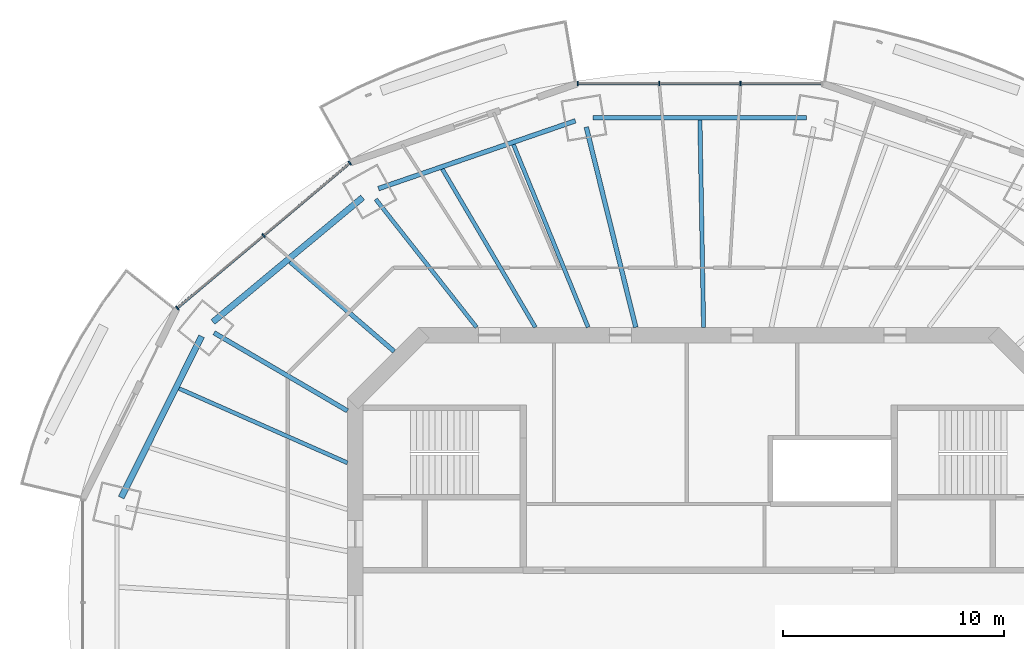
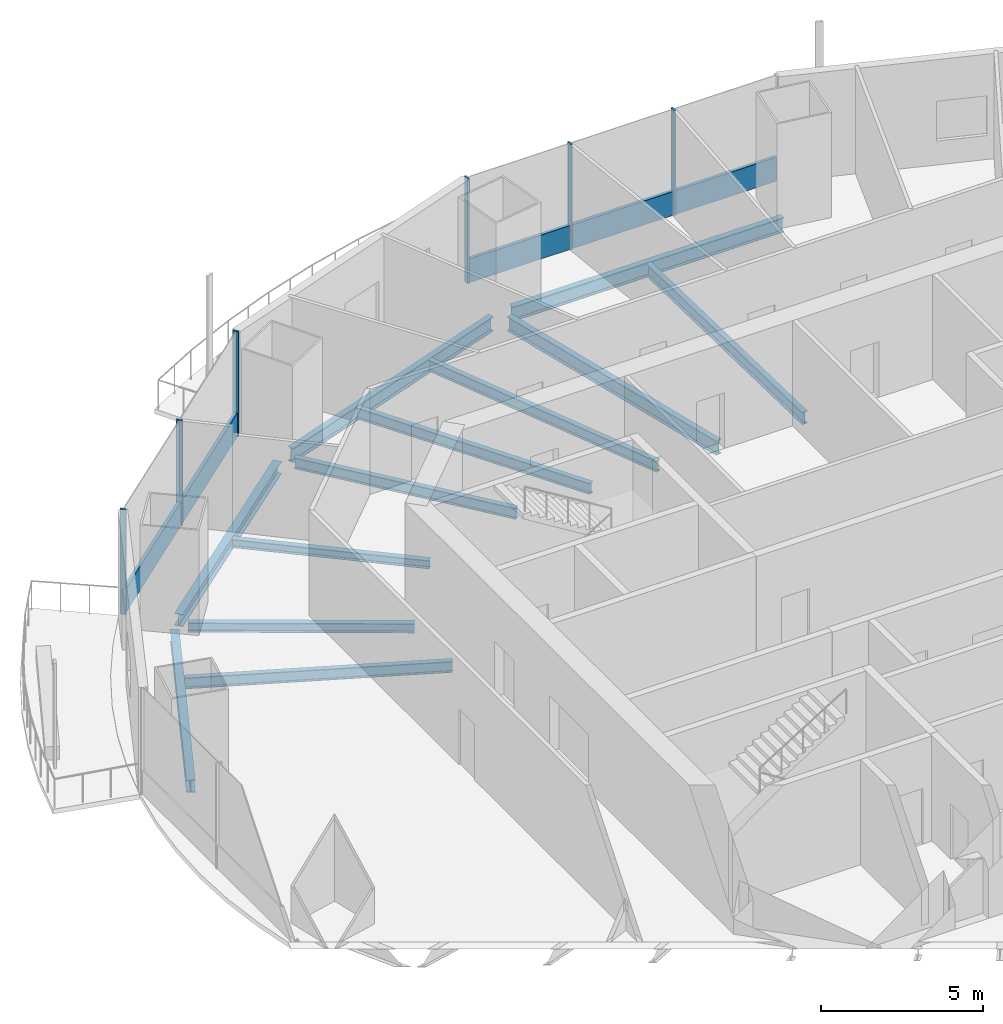
# One storey, part 5 of 16: 12 beams, 8 members, 2 elements without a shape of their own.
"""IFC4 building model written with IfcOpenShell, lengths in metres."""

from ifc_helpers import new_model, si_unit, direction, frame, origin, origin_2d, place, context, subcontext, project, spatial, rectangle, i_section, extrude, material, material_profile, profile_set, type_object, element, aggregate, save


model = new_model("IFC4")

# Units and contexts
model_context = context("Model", 3, precision=1e-05, world=origin(), true_north=direction((0.0, 1.0)))
body_context = subcontext(model_context, "Body", "Model", "MODEL_VIEW")
ifc_project = project(units=[si_unit("LENGTHUNIT", "METRE"), si_unit("AREAUNIT", "SQUARE_METRE"), si_unit("VOLUMEUNIT", "CUBIC_METRE"), si_unit("PLANEANGLEUNIT", "RADIAN"), si_unit("MASSUNIT", "GRAM", prefix="KILO")], contexts=[model_context])

# Site, building, storey
site_placement = place(None, origin())
site = spatial("IfcSite", under=ifc_project, at=site_placement, CompositionType="ELEMENT")
building_placement = place(site_placement, origin())
building = spatial("IfcBuilding", under=site, at=building_placement, Name="Marenthal Gate Tower", CompositionType="ELEMENT")
storey_placement = place(building_placement, frame((0.0, 0.0, 296.949951171875)))
storey = spatial("IfcBuildingStorey", under=building, at=storey_placement, Name="L66", CompositionType="ELEMENT", Elevation=296.949951171875)

# Curtain wall, members
ifc_material_1 = material(Name="Aluminium and glass", Category="aluminium")
curtain_wall_type = type_object("IfcCurtainWallType", Name="Curtain wall typical high", PredefinedType="NOTDEFINED", material=ifc_material_1)
curtain_wall_1_placement = place(storey_placement, origin())
curtain_wall_1 = element("IfcCurtainWall", 1, at=curtain_wall_1_placement, inside=storey, type_object=curtain_wall_type, Name="Curtain wall L66 bay 4", PredefinedType="NOTDEFINED")
ifc_material_2 = material(Name="Aluminium", Category="aluminium")
ifc_material_profile_1 = material_profile(ifc_material_2, rectangle(XDim=0.199951171875, YDim=0.06005859375, at=origin_2d()), Name="60x200 aluminium mullion")
ifc_profile_set_1 = profile_set([ifc_material_profile_1], Name="Aluminium")
member_type_1 = type_object("IfcMemberType", Name="Mullion 60x200 typical high", PredefinedType="MULLION", material=ifc_profile_set_1)
member_1_placement = place(storey_placement, frame((1.44189453125, 24.3779296875, 0.0), z_axis=(0.0, 0.0, 1.0), x_axis=(0.0, -1.0, 0.0)))
member_1 = element("IfcMember", 2, at=member_1_placement, type_object=member_type_1, Name="Mullion L66 bay 4.2", PredefinedType="MULLION", context=body_context, shape_type="SweptSolid", body=[
    extrude(rectangle(XDim=0.199951171875, YDim=0.06005859375, at=origin_2d()), origin(), (0.0, 0.0, 1.0), 3.969970703125),
])
member_2_placement = place(storey_placement, frame((-2.24169921875, 24.3779296875, 0.0), z_axis=(0.0, 0.0, 1.0), x_axis=(0.0, -1.0, 0.0)))
member_2 = element("IfcMember", 3, at=member_2_placement, type_object=member_type_1, Name="Mullion L66 bay 4.3", PredefinedType="MULLION", context=body_context, shape_type="SweptSolid", body=[
    extrude(rectangle(XDim=0.199951171875, YDim=0.06005859375, at=origin_2d()), origin(), (0.0, 0.0, 1.0), 3.969970703125),
])
member_3_placement = place(storey_placement, frame((-5.92529296875, 24.3779296875, 0.0), z_axis=(0.0, 0.0, 1.0), x_axis=(0.0, -1.0, 0.0)))
member_3 = element("IfcMember", 4, at=member_3_placement, type_object=member_type_1, Name="Mullion L66 bay 4.4", PredefinedType="MULLION", context=body_context, shape_type="SweptSolid", body=[
    extrude(rectangle(XDim=0.199951171875, YDim=0.06005859375, at=origin_2d()), origin(), (0.0, 0.0, 1.0), 3.969970703125),
])

curtain_wall_2_placement = place(storey_placement, origin())
curtain_wall_2 = element("IfcCurtainWall", 5, at=curtain_wall_2_placement, inside=storey, type_object=curtain_wall_type, Name="Curtain wall L66 bay 6", PredefinedType="NOTDEFINED")
member_4_placement = place(storey_placement, frame((-16.243408203125, 20.784423828125, 0.0), z_axis=(0.0, 0.0, 1.0), x_axis=(0.643479945432, -0.765462970905, 0.0)))
member_4 = element("IfcMember", 6, at=member_4_placement, type_object=member_type_1, Name="Mullion L66 bay 6.1", PredefinedType="MULLION", context=body_context, shape_type="SweptSolid", body=[
    extrude(rectangle(XDim=0.199951171875, YDim=0.06005859375, at=origin_2d()), origin(), (0.0, 0.0, 1.0), 3.969970703125),
])
member_5_placement = place(storey_placement, frame((-20.148681640625, 17.50146484375, 0.0), z_axis=(0.0, 0.0, 1.0), x_axis=(0.643479945432, -0.765462970905, 0.0)))
member_5 = element("IfcMember", 7, at=member_5_placement, type_object=member_type_1, Name="Mullion L66 bay 6.2", PredefinedType="MULLION", context=body_context, shape_type="SweptSolid", body=[
    extrude(rectangle(XDim=0.199951171875, YDim=0.06005859375, at=origin_2d()), origin(), (0.0, 0.0, 1.0), 3.969970703125),
])
member_6_placement = place(storey_placement, frame((-24.053955078125, 14.218505859375, 0.0), z_axis=(0.0, 0.0, 1.0), x_axis=(0.643479945432, -0.765462970905, 0.0)))
member_6 = element("IfcMember", 8, at=member_6_placement, type_object=member_type_1, Name="Mullion L66 bay 6.3", PredefinedType="MULLION", context=body_context, shape_type="SweptSolid", body=[
    extrude(rectangle(XDim=0.199951171875, YDim=0.06005859375, at=origin_2d()), origin(), (0.0, 0.0, 1.0), 3.969970703125),
])

# Member
ifc_material_3 = material(Name="Aluminium", Category="aluminium")
ifc_material_profile_2 = material_profile(ifc_material_3, rectangle(XDim=0.1201171875, YDim=0.89990234375, at=origin_2d()), Name="120x900 aluminium transom")
ifc_profile_set_2 = profile_set([ifc_material_profile_2], Name="Aluminium")
member_type_2 = type_object("IfcMemberType", Name="Transom 120x900 typical high", PredefinedType="USERDEFINED", material=ifc_profile_set_2)
member_7_placement = place(storey_placement, frame((5.095458984375, 24.3779296875, 0.449951171875), z_axis=(-1.0, 0.0, 0.0), x_axis=(0.0, -1.0, 0.0)))
member_7 = element("IfcMember", 9, at=member_7_placement, type_object=member_type_2, Name="Transom L66 bay 4", ObjectType="TRANSOM", PredefinedType="USERDEFINED", context=body_context, shape_type="SweptSolid", body=[
    extrude(rectangle(XDim=0.1201171875, YDim=0.89990234375, at=origin_2d()), origin(), (0.0, 0.0, 1.0), 10.990966796875),
])

aggregate(curtain_wall_1, [member_1, member_2, member_3, member_7])

member_8_placement = place(storey_placement, frame((-16.266357421875, 20.76513671875, 0.449951171875), z_axis=(-0.765460155219, -0.643483294866, 0.0), x_axis=(0.643483294866, -0.765460155219, 0.0)))
member_8 = element("IfcMember", 10, at=member_8_placement, type_object=member_type_2, Name="Transom L66 bay 6", ObjectType="TRANSOM", PredefinedType="USERDEFINED", context=body_context, shape_type="SweptSolid", body=[
    extrude(rectangle(XDim=0.1201171875, YDim=0.89990234375, at=origin_2d()), origin(), (0.0, 0.0, 1.0), 10.143798828125),
])

aggregate(curtain_wall_2, [member_4, member_5, member_6, member_8])

# Beams
ifc_material_4 = material(Name="Steel S355", Category="steel")
ifc_material_profile_3 = material_profile(ifc_material_4, i_section(OverallWidth=0.205078125, OverallDepth=0.31005859375, WebThickness=0.009521484375, FlangeThickness=0.016357421875, FilletRadius=0.0126953125, at=origin_2d()), Name="W310X74")
ifc_profile_set_3 = profile_set([ifc_material_profile_3], Name="Steel S355")
beam_type_1 = type_object("IfcBeamType", Name="W310X74 beam", PredefinedType="BEAM", material=ifc_profile_set_3)
beam_1_placement = place(storey_placement, frame((-18.94580078125, 16.3134765625, -0.3349609375), z_axis=(0.757787687863, -0.652501203158, 0.0), x_axis=(0.652501203158, 0.757787687863, 0.0)))
element("IfcBeam", 11, at=beam_1_placement, inside=storey, type_object=beam_type_1, Name="BM-L66-25", PredefinedType="BEAM", context=body_context, shape_type="SweptSolid", body=[
    extrude(i_section(OverallWidth=0.205078125, OverallDepth=0.31005859375, WebThickness=0.009521484375, FlangeThickness=0.016357421875, FilletRadius=0.0126953125, at=origin_2d()), origin(), (0.0, 0.0, 1.0), 6.21435546875),
])
ifc_material_5 = material(Name="Steel S355", Category="steel")
ifc_material_profile_4 = material_profile(ifc_material_5, i_section(OverallWidth=0.205078125, OverallDepth=0.35302734375, WebThickness=0.009521484375, FlangeThickness=0.016845703125, FilletRadius=0.014892578125, at=origin_2d()), Name="W360X79")
ifc_profile_set_4 = profile_set([ifc_material_profile_4], Name="Steel S355")
beam_type_2 = type_object("IfcBeamType", Name="W360X79 beam", PredefinedType="BEAM", material=ifc_profile_set_4)
beam_2_placement = place(storey_placement, frame((-22.3876953125, 13.1015625, -0.3564453125), z_axis=(0.863076809593, -0.505072688574, 0.0), x_axis=(0.505072688574, 0.863076809593, 0.0)))
element("IfcBeam", 12, at=beam_2_placement, inside=storey, type_object=beam_type_2, Name="BM-L66-07", PredefinedType="BEAM", context=body_context, shape_type="SweptSolid", body=[
    extrude(i_section(OverallWidth=0.205078125, OverallDepth=0.35302734375, WebThickness=0.009521484375, FlangeThickness=0.016845703125, FilletRadius=0.014892578125, at=origin_2d()), origin(), (0.0, 0.0, 1.0), 6.995361328125),
])
ifc_material_6 = material(Name="Steel S355", Category="steel")
ifc_material_profile_5 = material_profile(ifc_material_6, i_section(OverallWidth=0.180908203125, OverallDepth=0.4169921875, WebThickness=0.010986328125, FlangeThickness=0.018310546875, FilletRadius=0.01025390625, at=origin_2d()), Name="W410X85")
ifc_profile_set_5 = profile_set([ifc_material_profile_5], Name="Steel S355")
beam_type_3 = type_object("IfcBeamType", Name="W410X85 beam", PredefinedType="BEAM", material=ifc_profile_set_5)
beam_3_placement = place(storey_placement, frame((-15.072509765625, 19.146728515625, -0.388427734375), z_axis=(0.618553520336, -0.785742669377, 0.0), x_axis=(0.785742669377, 0.618553520336, 0.0)))
element("IfcBeam", 13, at=beam_3_placement, inside=storey, type_object=beam_type_3, Name="BM-L66-06", PredefinedType="BEAM", context=body_context, shape_type="SweptSolid", body=[
    extrude(i_section(OverallWidth=0.180908203125, OverallDepth=0.4169921875, WebThickness=0.010986328125, FlangeThickness=0.018310546875, FilletRadius=0.01025390625, at=origin_2d()), origin(), (0.0, 0.0, 1.0), 7.377197265625),
])
beam_4_placement = place(storey_placement, frame((-8.8388671875, 21.6171875, -0.388427734375), z_axis=(0.378477443336, -0.92561051468, 0.0), x_axis=(0.92561051468, 0.378477443336, 0.0)))
element("IfcBeam", 14, at=beam_4_placement, inside=storey, type_object=beam_type_3, Name="BM-L66-23", PredefinedType="BEAM", context=body_context, shape_type="SweptSolid", body=[
    extrude(i_section(OverallWidth=0.180908203125, OverallDepth=0.4169921875, WebThickness=0.010986328125, FlangeThickness=0.018310546875, FilletRadius=0.01025390625, at=origin_2d()), origin(), (0.0, 0.0, 1.0), 8.931396484375),
])
beam_5_placement = place(storey_placement, frame((-12.055908203125, 20.509521484375, -0.388427734375), z_axis=(0.506758017477, -0.86208834334, 0.0), x_axis=(0.86208834334, 0.506758017477, 0.0)))
element("IfcBeam", 15, at=beam_5_placement, inside=storey, type_object=beam_type_3, Name="BM-L66-24", PredefinedType="BEAM", context=body_context, shape_type="SweptSolid", body=[
    extrude(i_section(OverallWidth=0.180908203125, OverallDepth=0.4169921875, WebThickness=0.010986328125, FlangeThickness=0.018310546875, FilletRadius=0.01025390625, at=origin_2d()), origin(), (0.0, 0.0, 1.0), 8.3046875),
])
beam_6_placement = place(storey_placement, frame((-23.97412109375, 10.57861328125, -0.388427734375), z_axis=(0.914885977249, -0.403712334011, 0.0), x_axis=(0.403712334011, 0.914885977249, 0.0)))
element("IfcBeam", 16, at=beam_6_placement, inside=storey, type_object=beam_type_3, Name="BM-L66-26", PredefinedType="BEAM", context=body_context, shape_type="SweptSolid", body=[
    extrude(i_section(OverallWidth=0.180908203125, OverallDepth=0.4169921875, WebThickness=0.010986328125, FlangeThickness=0.018310546875, FilletRadius=0.01025390625, at=origin_2d()), origin(), (0.0, 0.0, 1.0), 8.333251953125),
])
ifc_material_7 = material(Name="Steel S355", Category="steel")
ifc_material_profile_6 = material_profile(ifc_material_7, i_section(OverallWidth=0.279052734375, OverallDepth=0.4619140625, WebThickness=0.0107421875, FlangeThickness=0.017333984375, FilletRadius=0.010009765625, at=origin_2d()), Name="W460X113")
ifc_profile_set_6 = profile_set([ifc_material_profile_6], Name="Steel S355")
beam_type_4 = type_object("IfcBeamType", Name="W460X113 beam", PredefinedType="BEAM", material=ifc_profile_set_6)
beam_7_placement = place(storey_placement, frame((-15.662353515625, 19.22412109375, -0.410888671875), z_axis=(-0.768999341682, -0.639249569802, 0.0), x_axis=(0.639249569802, -0.768999341682, 0.0)))
element("IfcBeam", 17, at=beam_7_placement, inside=storey, type_object=beam_type_4, Name="BM-L66-46", PredefinedType="BEAM", context=body_context, shape_type="SweptSolid", body=[
    extrude(i_section(OverallWidth=0.279052734375, OverallDepth=0.4619140625, WebThickness=0.0107421875, FlangeThickness=0.017333984375, FilletRadius=0.010009765625, at=origin_2d()), origin(), (0.0, 0.0, 1.0), 8.8154296875),
])
beam_8_placement = place(storey_placement, frame((-22.950927734375, 12.9443359375, -0.410888671875), z_axis=(-0.44599242953, -0.895036732655, 0.0), x_axis=(0.895036732655, -0.44599242953, 0.0)))
element("IfcBeam", 18, at=beam_8_placement, inside=storey, type_object=beam_type_4, Name="BM-L66-47", PredefinedType="BEAM", context=body_context, shape_type="SweptSolid", body=[
    extrude(i_section(OverallWidth=0.279052734375, OverallDepth=0.4619140625, WebThickness=0.0107421875, FlangeThickness=0.017333984375, FilletRadius=0.010009765625, at=origin_2d()), origin(), (0.0, 0.0, 1.0), 8.15966796875),
])
ifc_material_8 = material(Name="Steel S355", Category="steel")
ifc_material_profile_7 = material_profile(ifc_material_8, i_section(OverallWidth=0.193115234375, OverallDepth=0.467041015625, WebThickness=0.011474609375, FlangeThickness=0.01904296875, FilletRadius=0.010009765625, at=origin_2d()), Name="W460X97")
ifc_profile_set_7 = profile_set([ifc_material_profile_7], Name="Steel S355")
beam_type_5 = type_object("IfcBeamType", Name="W460X97 beam", PredefinedType="BEAM", material=ifc_profile_set_7)
beam_9_placement = place(storey_placement, frame((-0.398193359375, 22.722412109375, -0.413330078125), z_axis=(0.017528370224, -0.999846366317, 0.0), x_axis=(0.999846366317, 0.017528370224, 0.0)))
element("IfcBeam", 19, at=beam_9_placement, inside=storey, type_object=beam_type_5, Name="BM-L66-22", PredefinedType="BEAM", context=body_context, shape_type="SweptSolid", body=[
    extrude(i_section(OverallWidth=0.193115234375, OverallDepth=0.467041015625, WebThickness=0.011474609375, FlangeThickness=0.01904296875, FilletRadius=0.010009765625, at=origin_2d()), origin(), (0.0, 0.0, 1.0), 9.373779296875),
])
ifc_material_9 = material(Name="Steel S355", Category="steel")
ifc_material_profile_8 = material_profile(ifc_material_9, i_section(OverallWidth=0.2099609375, OverallDepth=0.535888671875, WebThickness=0.010986328125, FlangeThickness=0.017333984375, FilletRadius=0.0126953125, at=origin_2d()), Name="W530X101")
ifc_profile_set_8 = profile_set([ifc_material_profile_8], Name="Steel S355")
beam_type_6 = type_object("IfcBeamType", Name="W530X101 beam", PredefinedType="BEAM", material=ifc_profile_set_8)
beam_10_placement = place(storey_placement, frame((-5.54443359375, 22.4130859375, -0.447998046875), z_axis=(0.240135238154, -0.970739443619, 0.0), x_axis=(0.970739443619, 0.240135238154, 0.0)))
element("IfcBeam", 20, at=beam_10_placement, inside=storey, type_object=beam_type_6, Name="BM-L66-05", PredefinedType="BEAM", context=body_context, shape_type="SweptSolid", body=[
    extrude(i_section(OverallWidth=0.2099609375, OverallDepth=0.535888671875, WebThickness=0.010986328125, FlangeThickness=0.017333984375, FilletRadius=0.0126953125, at=origin_2d()), origin(), (0.0, 0.0, 1.0), 9.336181640625),
])
ifc_material_10 = material(Name="Steel S355", Category="steel")
ifc_material_profile_9 = material_profile(ifc_material_10, i_section(OverallWidth=0.2119140625, OverallDepth=0.5439453125, WebThickness=0.01318359375, FlangeThickness=0.021240234375, FilletRadius=0.0126953125, at=origin_2d()), Name="W530X123")
ifc_profile_set_9 = profile_set([ifc_material_profile_9], Name="Steel S355")
beam_type_7 = type_object("IfcBeamType", Name="W530X123 beam", PredefinedType="BEAM", material=ifc_profile_set_9)
beam_11_placement = place(storey_placement, frame((4.434814453125, 22.828369140625, -0.451904296875), z_axis=(-1.0, 0.0, 0.0), x_axis=(0.0, -1.0, 0.0)))
element("IfcBeam", 21, at=beam_11_placement, inside=storey, type_object=beam_type_7, Name="BM-L66-44", PredefinedType="BEAM", context=body_context, shape_type="SweptSolid", body=[
    extrude(i_section(OverallWidth=0.2119140625, OverallDepth=0.5439453125, WebThickness=0.01318359375, FlangeThickness=0.021240234375, FilletRadius=0.0126953125, at=origin_2d()), origin(), (0.0, 0.0, 1.0), 9.669677734375),
])
beam_12_placement = place(storey_placement, frame((-6.037353515625, 22.694091796875, -0.451904296875), z_axis=(-0.945516546664, -0.325574046853, 0.0), x_axis=(0.325574046853, -0.945516546664, 0.0)))
element("IfcBeam", 22, at=beam_12_placement, inside=storey, type_object=beam_type_7, Name="BM-L66-45", PredefinedType="BEAM", context=body_context, shape_type="SweptSolid", body=[
    extrude(i_section(OverallWidth=0.2119140625, OverallDepth=0.5439453125, WebThickness=0.01318359375, FlangeThickness=0.021240234375, FilletRadius=0.0126953125, at=origin_2d()), origin(), (0.0, 0.0, 1.0), 9.427490234375),
])

save(model, "model.ifc")
